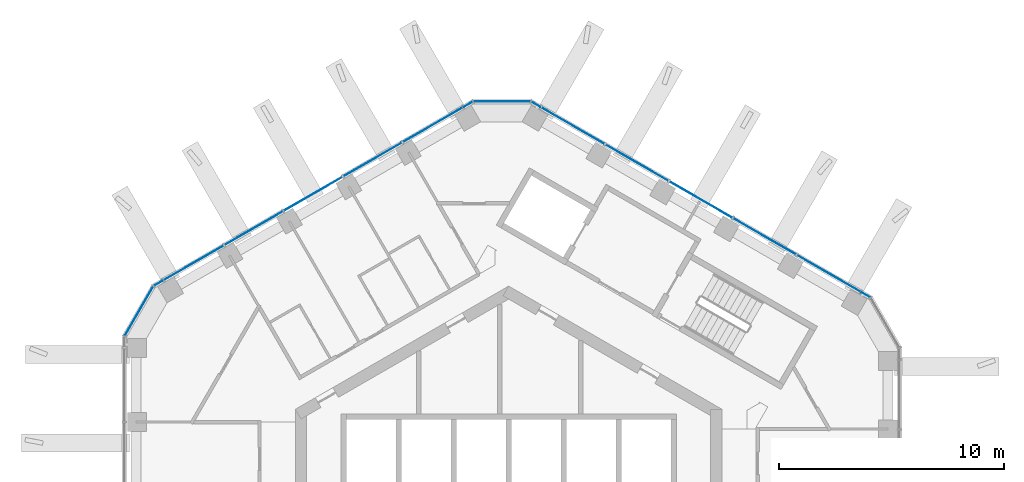
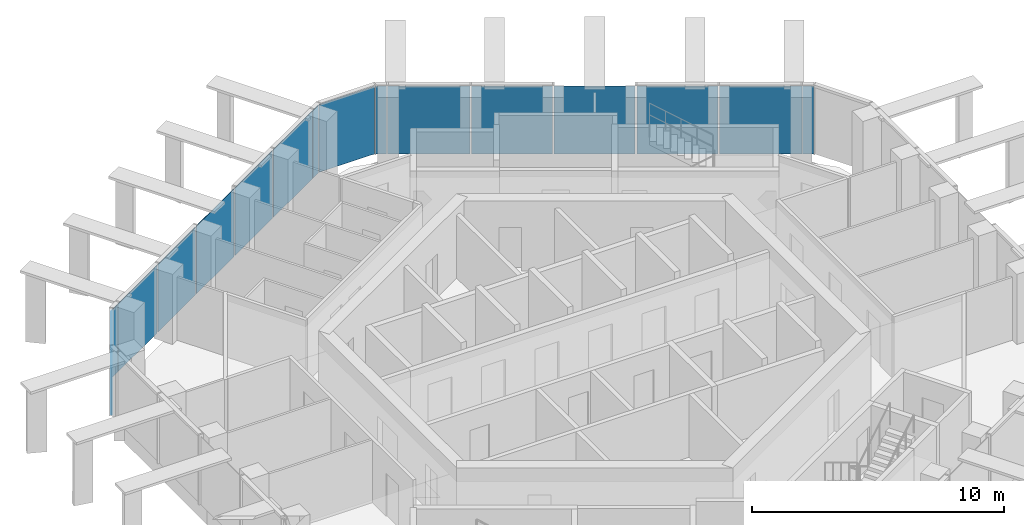
# One storey, part 10 of 19: 16 plates, 5 elements without a shape of their own.
"""IFC4 building model written with IfcOpenShell, lengths in metres."""

import ifcopenshell
import ifcopenshell.guid

model = None  # the IFC model being written
_history = None  # IfcOwnerHistory: only IFC2X3 demands one
_inside = {}  # id of a spatial element -> (the spatial element, [elements in it])
_under = {}  # id of a project, library or spatial element -> (it, [spatial elements below it])
_declared = {}  # id of a project -> (the project, [libraries it declares])
_typed = {}  # id of a type object -> (the type object, [elements of that type])
_made_of = {}  # id of a material, layer set ... -> (it, [elements and type objects made of it])


def new_model(schema):
    """Start an empty IFC model of exactly this schema.

    Asked for "IFC4X3", IfcOpenShell would pick the latest addendum, in which some entities
    have other attributes; the version numbers below select the first issue.
    IFC2X3 requires an IfcOwnerHistory on every rooted entity: one is made here for all.
    """
    global model, _history
    if schema == "IFC4X3":
        model = ifcopenshell.file(schema_version=(4, 3, 0, 0))
    else:
        model = ifcopenshell.file(schema=schema)
    _inside.clear()
    _under.clear()
    _declared.clear()
    _typed.clear()
    _made_of.clear()
    _history = None
    if model.schema == "IFC2X3":
        org = make("IfcOrganization", Name="unknown")
        user = make(
            "IfcPersonAndOrganization",
            ThePerson=make("IfcPerson", FamilyName="unknown"),
            TheOrganization=org,
        )
        app = make(
            "IfcApplication",
            ApplicationDeveloper=org,
            Version="unknown",
            ApplicationFullName="unknown",
            ApplicationIdentifier="unknown",
        )
        _history = make(
            "IfcOwnerHistory",
            OwningUser=user,
            OwningApplication=app,
            ChangeAction="ADDED",
            CreationDate=0,
        )
    return model


def make(cls, **values):
    """One entity of the class cls with the attributes given. An attribute that is None is left unset."""
    return model.create_entity(
        cls, **{name: value for name, value in values.items() if value is not None}
    )


def rooted(cls, **values):
    """An entity with a GlobalId (a new one), such as an element, a storey or a relation."""
    return make(cls, GlobalId=ifcopenshell.guid.new(), OwnerHistory=_history, **values)


def si_unit(unit_type, name, prefix=None):
    """IfcSIUnit, for example si_unit("LENGTHUNIT", "METRE", prefix="MILLI")."""
    return make("IfcSIUnit", UnitType=unit_type, Prefix=prefix, Name=name)


def assignment(units):
    """IfcUnitAssignment: the units of a project."""
    return None if units is None else make("IfcUnitAssignment", Units=units)


def point(xyz):
    """IfcCartesianPoint."""
    return None if xyz is None else make("IfcCartesianPoint", Coordinates=xyz)


def direction(xyz):
    """IfcDirection."""
    return None if xyz is None else make("IfcDirection", DirectionRatios=xyz)


def frame(location, z_axis=None, x_axis=None):
    """IfcAxis2Placement3D, a coordinate frame: its origin and axes. An axis left out is left unset."""
    return make(
        "IfcAxis2Placement3D",
        Location=point(location),
        Axis=direction(z_axis),
        RefDirection=direction(x_axis),
    )


def frame_2d(location, x_axis=None):
    """IfcAxis2Placement2D, a coordinate frame in the plane: its origin and x axis."""
    return make(
        "IfcAxis2Placement2D", Location=point(location), RefDirection=direction(x_axis)
    )


def origin():
    """The frame at (0, 0, 0) with its axes left unset."""
    return frame((0.0, 0.0, 0.0))


def origin_2d():
    """The frame at (0, 0) in the plane with its x axis left unset."""
    return frame_2d((0.0, 0.0))


def place(relative_to, where):
    """IfcLocalPlacement: puts the frame where relative to a parent placement (None: the world)."""
    return make(
        "IfcLocalPlacement", PlacementRelTo=relative_to, RelativePlacement=where
    )


def context(
    kind, dimensions, precision=None, world=None, true_north=None, identifier=None
):
    """IfcGeometricRepresentationContext, for example the 3D "Model" context."""
    return make(
        "IfcGeometricRepresentationContext",
        ContextIdentifier=identifier,
        ContextType=kind,
        CoordinateSpaceDimension=dimensions,
        Precision=precision,
        WorldCoordinateSystem=world,
        TrueNorth=true_north,
    )


def subcontext(parent, identifier, kind, view, scale=None):
    """IfcGeometricRepresentationSubContext, for example "Body" below "Model"."""
    return make(
        "IfcGeometricRepresentationSubContext",
        ContextIdentifier=identifier,
        ContextType=kind,
        ParentContext=parent,
        TargetScale=scale,
        TargetView=view,
    )


def project(units=None, contexts=None):
    """IfcProject with its units and contexts."""
    return rooted(
        "IfcProject",
        Name="project",
        RepresentationContexts=contexts,
        UnitsInContext=assignment(units),
    )


def spatial(cls, under=None, at=None, **own):
    """A site, building, storey or space (cls), placed at a placement, below another one or the project."""
    s = rooted(cls, ObjectPlacement=at, **own)
    if under is not None:
        _under.setdefault(under.id(), (under, []))[1].append(s)
    return s


def profile(cls, at=None, kind="AREA", **sizes):
    """A parametric profile (cls). Its sizes go by their IFC names, for example OverallWidth=200.0."""
    return make(cls, ProfileType=kind, Position=at, **sizes)


def rectangle(**sizes):
    """IfcRectangleProfileDef."""
    return profile("IfcRectangleProfileDef", **sizes)


def extrude(swept, where, along, depth):
    """IfcExtrudedAreaSolid: the profile swept, set in the frame where, extruded along a direction by depth."""
    return make(
        "IfcExtrudedAreaSolid",
        SweptArea=swept,
        Position=where,
        ExtrudedDirection=direction(along),
        Depth=depth,
    )


def shape(context_of_items, identifier, shape_type, items):
    """IfcShapeRepresentation: the items that make up one representation, for example the "Body"."""
    return make(
        "IfcShapeRepresentation",
        ContextOfItems=context_of_items,
        RepresentationIdentifier=identifier,
        RepresentationType=shape_type,
        Items=items,
    )


def material(Name=None, Category=None):
    """IfcMaterial."""
    return make("IfcMaterial", Name=Name, Category=Category)


def layer(
    of_material, thickness, ventilated=None, Name=None, Category=None, Priority=None
):
    """IfcMaterialLayer: one layer of a wall or slab, of a material (None: an air gap)."""
    return make(
        "IfcMaterialLayer",
        Material=of_material,
        LayerThickness=thickness,
        IsVentilated=ventilated,
        Name=Name,
        Category=Category,
        Priority=Priority,
    )


def layer_set(layers, Name=None):
    """IfcMaterialLayerSet."""
    return make("IfcMaterialLayerSet", MaterialLayers=layers, LayerSetName=Name)


def made_of(thing, what):
    """Note that an element or type object is made of a material, layer set ...; save() writes the relation."""
    if what is not None:
        _made_of.setdefault(what.id(), (what, []))[1].append(thing)
    return thing


def type_object(cls, material=None, **own):
    """A type object (cls), such as IfcWallType, which elements share."""
    return made_of(rooted(cls, **own), material)


def element(
    cls,
    number,
    at=None,
    inside=None,
    cuts=None,
    type_object=None,
    material=None,
    context=None,
    identifier="Body",
    shape_type=None,
    held_by="IfcProductDefinitionShape",
    body=None,
    shapes=None,
    **own,
):
    """One element of the class cls, such as IfcWall. Its Tag is "e" and its number.

    at: its placement. inside: the storey or other place that contains it. cuts: it is an
    opening in that element (IfcRelVoidsElement). A single representation is given by context,
    identifier, shape_type and body (its items); several are given by shapes. held_by: the class
    of the entity that holds the representations. save() writes the other relations.
    """
    e = rooted(cls, Tag="e%d" % number, ObjectPlacement=at, **own)
    if body is not None:
        shapes = [shape(context, identifier, shape_type, body)]
    if shapes is not None:
        e.Representation = make(held_by, Representations=shapes)
    if inside is not None:
        _inside.setdefault(inside.id(), (inside, []))[1].append(e)
    if cuts is not None:
        rooted(
            "IfcRelVoidsElement", RelatingBuildingElement=cuts, RelatedOpeningElement=e
        )
    if type_object is not None:
        _typed.setdefault(type_object.id(), (type_object, []))[1].append(e)
    return made_of(e, material)


def aggregate(whole, parts):
    """IfcRelAggregates: a whole, such as a stair, and the parts it consists of."""
    return rooted("IfcRelAggregates", RelatingObject=whole, RelatedObjects=parts)


def save(model, path):
    """Write the relations noted so far, then the file.

    IfcRelAggregates (storeys below a building ...), IfcRelContainedInSpatialStructure (elements
    in a storey), IfcRelDefinesByType, IfcRelAssociatesMaterial and IfcRelDeclares: one each for
    every whole, place, type object, material and project.
    """
    for whole, parts in _under.values():
        aggregate(whole, parts)
    for where, things in _inside.values():
        rooted(
            "IfcRelContainedInSpatialStructure",
            RelatedElements=things,
            RelatingStructure=where,
        )
    for kind, things in _typed.values():
        rooted("IfcRelDefinesByType", RelatedObjects=things, RelatingType=kind)
    for what, things in _made_of.values():
        rooted("IfcRelAssociatesMaterial", RelatedObjects=things, RelatingMaterial=what)
    for by, libraries in _declared.values():
        rooted("IfcRelDeclares", RelatingContext=by, RelatedDefinitions=libraries)
    model.write(path)


model = new_model("IFC4")

# Units and contexts
model_context = context("Model", 3, precision=1e-05, world=origin(), true_north=direction((0.0, 1.0)))
body_context = subcontext(model_context, "Body", "Model", "MODEL_VIEW")
ifc_project = project(units=[si_unit("LENGTHUNIT", "METRE"), si_unit("AREAUNIT", "SQUARE_METRE"), si_unit("VOLUMEUNIT", "CUBIC_METRE"), si_unit("PLANEANGLEUNIT", "RADIAN"), si_unit("MASSUNIT", "GRAM", prefix="KILO")], contexts=[model_context])

# Site, building, storey
site_placement = place(None, origin())
site = spatial("IfcSite", under=ifc_project, at=site_placement, CompositionType="ELEMENT")
building_placement = place(site_placement, origin())
building = spatial("IfcBuilding", under=site, at=building_placement, Name="Ayvan Gate Tower", CompositionType="ELEMENT")
storey_placement = place(building_placement, frame((0.0, 0.0, 235.89990234375)))
storey = spatial("IfcBuildingStorey", under=building, at=storey_placement, Name="L63", CompositionType="ELEMENT", Elevation=235.89990234375)

# Curtain wall, plates
ifc_material_1 = material(Name="Bronze anodised aluminium", Category="aluminium")
ifc_layer_1 = layer(ifc_material_1, 0.199951171875)
ifc_layer_set_1 = layer_set([ifc_layer_1], Name="Bronze anodised aluminium")
curtain_wall_type_1 = type_object("IfcCurtainWallType", Name="Stick curtain wall CW-2", PredefinedType="NOTDEFINED", material=ifc_layer_set_1)
curtain_wall_1_placement = place(storey_placement, origin())
curtain_wall_1 = element("IfcCurtainWall", 1, at=curtain_wall_1_placement, inside=storey, type_object=curtain_wall_type_1, Name="Stick curtain wall CW-2 L63", PredefinedType="NOTDEFINED")
ifc_material_2 = material(Name="Clear low-iron laminated glass", Category="glass")
ifc_layer_2 = layer(ifc_material_2, 0.028076171875)
ifc_layer_set_2 = layer_set([ifc_layer_2], Name="Clear low-iron laminated glass")
plate_type_1 = type_object("IfcPlateType", Name="Stick curtain wall CW-2 glass panel", PredefinedType="CURTAIN_PANEL", material=ifc_layer_set_2)
plate_1_placement = place(storey_placement, frame((-3.36767578125, 18.161865234375, 0.0), z_axis=(0.0, 0.0, 1.0), x_axis=(-0.866025403784, -0.5, 0.0)))
plate_1 = element("IfcPlate", 2, at=plate_1_placement, type_object=plate_type_1, Name="CW-2 glass panel 1", PredefinedType="CURTAIN_PANEL", context=body_context, shape_type="SweptSolid", body=[
    extrude(rectangle(XDim=3.090087890625, YDim=0.028076171875, at=origin_2d()), origin(), (0.0, 0.0, 1.0), 3.280029296875),
])
plate_2_placement = place(storey_placement, frame((-6.059326171875, 16.60791015625, 0.0), z_axis=(0.0, 0.0, 1.0), x_axis=(-0.866025403784, -0.5, 0.0)))
plate_2 = element("IfcPlate", 3, at=plate_2_placement, type_object=plate_type_1, Name="CW-2 glass panel 2", PredefinedType="CURTAIN_PANEL", context=body_context, shape_type="SweptSolid", body=[
    extrude(rectangle(XDim=2.986083984375, YDim=0.028076171875, at=origin_2d()), origin(), (0.0, 0.0, 1.0), 3.280029296875),
])
plate_3_placement = place(storey_placement, frame((-8.706298828125, 15.07958984375, 0.0), z_axis=(0.0, 0.0, 1.0), x_axis=(-0.866025403784, -0.5, 0.0)))
plate_3 = element("IfcPlate", 4, at=plate_3_placement, type_object=plate_type_1, Name="CW-2 glass panel 3", PredefinedType="CURTAIN_PANEL", context=body_context, shape_type="SweptSolid", body=[
    extrude(rectangle(XDim=2.987060546875, YDim=0.028076171875, at=origin_2d()), origin(), (0.0, 0.0, 1.0), 3.280029296875),
])
plate_4_placement = place(storey_placement, frame((-11.353271484375, 13.55126953125, 0.0), z_axis=(0.0, 0.0, 1.0), x_axis=(-0.866025403784, -0.5, 0.0)))
plate_4 = element("IfcPlate", 5, at=plate_4_placement, type_object=plate_type_1, Name="CW-2 glass panel 4", PredefinedType="CURTAIN_PANEL", context=body_context, shape_type="SweptSolid", body=[
    extrude(rectangle(XDim=2.986083984375, YDim=0.028076171875, at=origin_2d()), origin(), (0.0, 0.0, 1.0), 3.280029296875),
])
plate_5_placement = place(storey_placement, frame((-14.044921875, 11.997314453125, 0.0), z_axis=(0.0, 0.0, 1.0), x_axis=(-0.866025403784, -0.5, 0.0)))
plate_5 = element("IfcPlate", 6, at=plate_5_placement, type_object=plate_type_1, Name="CW-2 glass panel 5", PredefinedType="CURTAIN_PANEL", context=body_context, shape_type="SweptSolid", body=[
    extrude(rectangle(XDim=3.08984375, YDim=0.028076171875, at=origin_2d()), origin(), (0.0, 0.0, 1.0), 3.280029296875),
])
aggregate(curtain_wall_1, [plate_1, plate_2, plate_3, plate_4, plate_5])

curtain_wall_2_placement = place(storey_placement, origin())
curtain_wall_2 = element("IfcCurtainWall", 7, at=curtain_wall_2_placement, inside=storey, type_object=curtain_wall_type_1, Name="Stick curtain wall CW-2 L63", PredefinedType="NOTDEFINED")
plate_6_placement = place(storey_placement, frame((14.265869140625, 11.52734375, 0.0), z_axis=(0.0, 0.0, 1.0), x_axis=(-0.866025403784, 0.5, 0.0)))
plate_6 = element("IfcPlate", 8, at=plate_6_placement, type_object=plate_type_1, Name="CW-2 glass panel 1", PredefinedType="CURTAIN_PANEL", context=body_context, shape_type="SweptSolid", body=[
    extrude(rectangle(XDim=3.264892578125, YDim=0.028076171875, at=origin_2d()), origin(), (0.0, 0.0, 1.0), 3.280029296875),
])
plate_7_placement = place(storey_placement, frame((11.400390625, 13.181396484375, 0.0), z_axis=(0.0, 0.0, 1.0), x_axis=(-0.866025403784, 0.5, 0.0)))
plate_7 = element("IfcPlate", 9, at=plate_7_placement, type_object=plate_type_1, Name="CW-2 glass panel 2", PredefinedType="CURTAIN_PANEL", context=body_context, shape_type="SweptSolid", body=[
    extrude(rectangle(XDim=3.2119140625, YDim=0.028076171875, at=origin_2d()), origin(), (0.0, 0.0, 1.0), 3.280029296875),
])
plate_8_placement = place(storey_placement, frame((8.557861328125, 14.82275390625, 0.0), z_axis=(0.0, 0.0, 1.0), x_axis=(-0.866025403784, 0.5, 0.0)))
plate_8 = element("IfcPlate", 10, at=plate_8_placement, type_object=plate_type_1, Name="CW-2 glass panel 3", PredefinedType="CURTAIN_PANEL", context=body_context, shape_type="SweptSolid", body=[
    extrude(rectangle(XDim=3.212890625, YDim=0.028076171875, at=origin_2d()), origin(), (0.0, 0.0, 1.0), 3.280029296875),
])
plate_9_placement = place(storey_placement, frame((5.715087890625, 16.4638671875, 0.0), z_axis=(0.0, 0.0, 1.0), x_axis=(-0.866025403784, 0.5, 0.0)))
plate_9 = element("IfcPlate", 11, at=plate_9_placement, type_object=plate_type_1, Name="CW-2 glass panel 4", PredefinedType="CURTAIN_PANEL", context=body_context, shape_type="SweptSolid", body=[
    extrude(rectangle(XDim=3.2119140625, YDim=0.028076171875, at=origin_2d()), origin(), (0.0, 0.0, 1.0), 3.280029296875),
])
plate_10_placement = place(storey_placement, frame((2.849853515625, 18.1181640625, 0.0), z_axis=(0.0, 0.0, 1.0), x_axis=(-0.866025403784, 0.5, 0.0)))
plate_10 = element("IfcPlate", 12, at=plate_10_placement, type_object=plate_type_1, Name="CW-2 glass panel 5", PredefinedType="CURTAIN_PANEL", context=body_context, shape_type="SweptSolid", body=[
    extrude(rectangle(XDim=3.264892578125, YDim=0.028076171875, at=origin_2d()), origin(), (0.0, 0.0, 1.0), 3.280029296875),
])
aggregate(curtain_wall_2, [plate_6, plate_7, plate_8, plate_9, plate_10])

ifc_layer_3 = layer(ifc_material_1, 0.199951171875)
ifc_layer_set_3 = layer_set([ifc_layer_3], Name="Bronze anodised aluminium")
curtain_wall_type_2 = type_object("IfcCurtainWallType", Name="Stick curtain wall CW-6", PredefinedType="NOTDEFINED", material=ifc_layer_set_3)
curtain_wall_3_placement = place(storey_placement, origin())
curtain_wall_3 = element("IfcCurtainWall", 13, at=curtain_wall_3_placement, inside=storey, type_object=curtain_wall_type_2, Name="Stick curtain wall CW-6 L63", PredefinedType="NOTDEFINED")
ifc_layer_4 = layer(ifc_material_2, 0.028076171875)
ifc_layer_set_4 = layer_set([ifc_layer_4], Name="Clear low-iron laminated glass")
plate_type_2 = type_object("IfcPlateType", Name="Stick curtain wall CW-6 glass panel", PredefinedType="CURTAIN_PANEL", material=ifc_layer_set_4)
plate_11_placement = place(storey_placement, frame((-15.60791015625, 11.094970703125, 0.0), z_axis=(0.0, 0.0, 1.0), x_axis=(-0.866025403784, -0.5, 0.0)))
plate_11 = element("IfcPlate", 14, at=plate_11_placement, type_object=plate_type_2, Name="CW-6 glass panel 1", PredefinedType="CURTAIN_PANEL", context=body_context, shape_type="SweptSolid", body=[
    extrude(rectangle(XDim=0.449951171875, YDim=0.028076171875, at=origin_2d()), origin(), (0.0, 0.0, 1.0), 3.280029296875),
])
plate_12_placement = place(storey_placement, frame((-16.47021484375, 9.8515625, 0.0), z_axis=(0.0, 0.0, 1.0), x_axis=(-0.5, -0.866025403784, 0.0)))
plate_12 = element("IfcPlate", 15, at=plate_12_placement, type_object=plate_type_2, Name="CW-6 glass panel 2", PredefinedType="CURTAIN_PANEL", context=body_context, shape_type="SweptSolid", body=[
    extrude(rectangle(XDim=2.532470703125, YDim=0.028076171875, at=origin_2d()), origin(), (0.0, 0.0, 1.0), 3.280029296875),
])
aggregate(curtain_wall_3, [plate_11, plate_12])

# Curtain wall, plate
curtain_wall_4_placement = place(storey_placement, origin())
curtain_wall_4 = element("IfcCurtainWall", 16, at=curtain_wall_4_placement, inside=storey, type_object=curtain_wall_type_2, Name="Stick curtain wall CW-6 L63", PredefinedType="NOTDEFINED")
plate_13_placement = place(storey_placement, frame((15.90478515625, 10.5810546875, 0.0), z_axis=(0.0, 0.0, 1.0), x_axis=(-0.866025403784, 0.5, 0.0)))
plate_13 = element("IfcPlate", 17, at=plate_13_placement, type_object=plate_type_2, Name="CW-6 glass panel 3", PredefinedType="CURTAIN_PANEL", context=body_context, shape_type="SweptSolid", body=[
    extrude(rectangle(XDim=0.449951171875, YDim=0.028076171875, at=origin_2d()), origin(), (0.0, 0.0, 1.0), 3.280029296875),
])
aggregate(curtain_wall_4, [plate_13])

# Curtain wall, plates
curtain_wall_5_placement = place(storey_placement, origin())
curtain_wall_5 = element("IfcCurtainWall", 18, at=curtain_wall_5_placement, inside=storey, type_object=curtain_wall_type_2, Name="Stick curtain wall CW-6 L63", PredefinedType="NOTDEFINED")
plate_14_placement = place(storey_placement, frame((1.2109375, 19.064453125, 0.0), z_axis=(0.0, 0.0, 1.0), x_axis=(-0.866025403784, 0.5, 0.0)))
plate_14 = element("IfcPlate", 19, at=plate_14_placement, type_object=plate_type_2, Name="CW-6 glass panel 1", PredefinedType="CURTAIN_PANEL", context=body_context, shape_type="SweptSolid", body=[
    extrude(rectangle(XDim=0.449951171875, YDim=0.028076171875, at=origin_2d()), origin(), (0.0, 0.0, 1.0), 3.280029296875),
])
plate_15_placement = place(storey_placement, frame((-0.296630859375, 19.189453125, 0.0), z_axis=(0.0, 0.0, 1.0), x_axis=(-1.0, 0.0, 0.0)))
plate_15 = element("IfcPlate", 20, at=plate_15_placement, type_object=plate_type_2, Name="CW-6 glass panel 2", PredefinedType="CURTAIN_PANEL", context=body_context, shape_type="SweptSolid", body=[
    extrude(rectangle(XDim=2.532470703125, YDim=0.028076171875, at=origin_2d()), origin(), (0.0, 0.0, 1.0), 3.280029296875),
])
plate_16_placement = place(storey_placement, frame((-1.804443359375, 19.064453125, 0.0), z_axis=(0.0, 0.0, 1.0), x_axis=(-0.866025403784, -0.5, 0.0)))
plate_16 = element("IfcPlate", 21, at=plate_16_placement, type_object=plate_type_2, Name="CW-6 glass panel 3", PredefinedType="CURTAIN_PANEL", context=body_context, shape_type="SweptSolid", body=[
    extrude(rectangle(XDim=0.449951171875, YDim=0.028076171875, at=origin_2d()), origin(), (0.0, 0.0, 1.0), 3.280029296875),
])
aggregate(curtain_wall_5, [plate_14, plate_15, plate_16])

save(model, "model.ifc")
